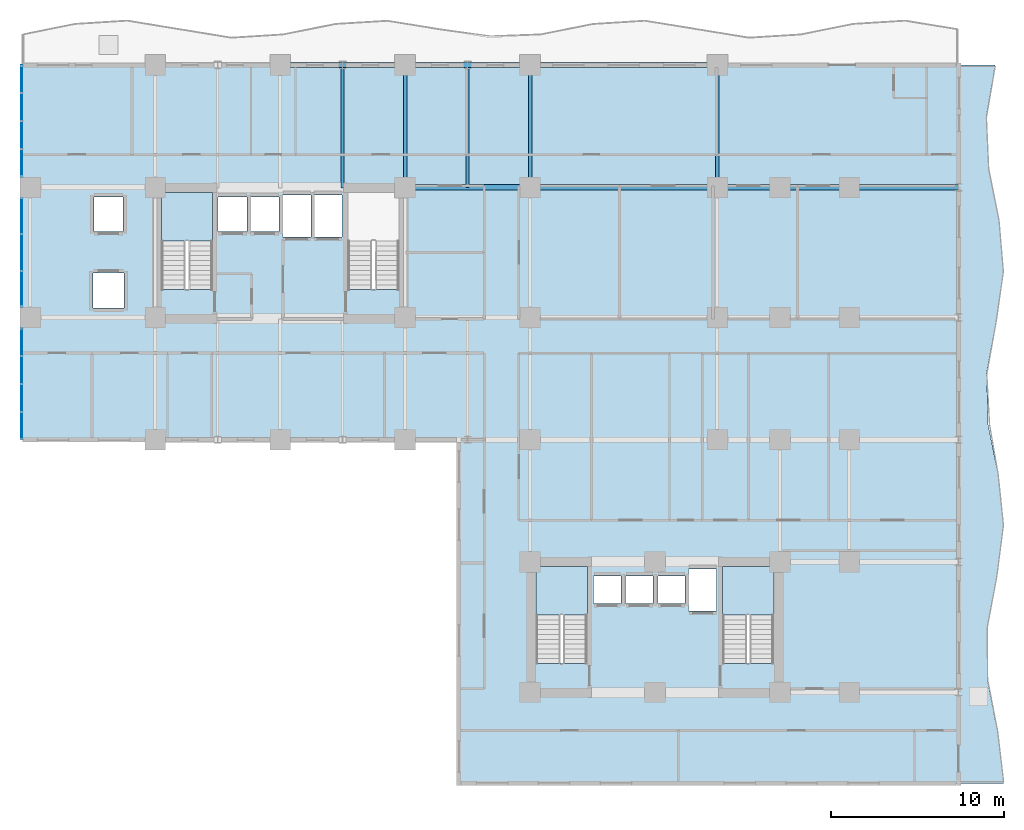
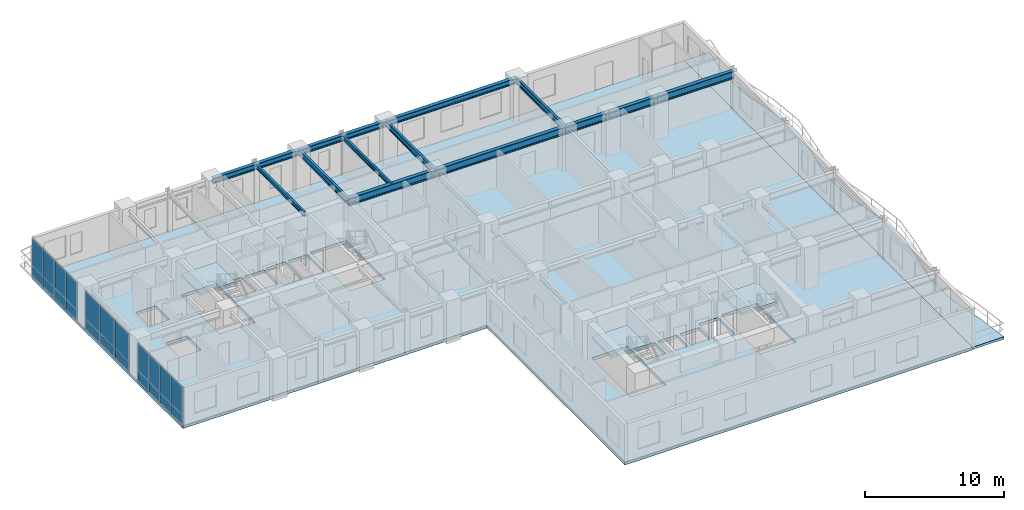
# One storey, part 9 of 18: 22 plates, 15 beams, 5 slabs, 6 elements without a shape of their own.
"""IFC4 building model written with IfcOpenShell, lengths in metres."""

from ifc_helpers import new_model, si_unit, direction, frame, origin, origin_2d, place, context, subcontext, project, spatial, polyline, rectangle, i_section, outline, extrude, source, transform, mapped, material, layer, layer_set, material_profile, profile_set, type_object, element, aggregate, save


model = new_model("IFC4")

# Units and contexts
model_context = context("Model", 3, precision=1e-05, world=origin(), true_north=direction((0.0, 1.0)))
body_context = subcontext(model_context, "Body", "Model", "MODEL_VIEW")
ifc_project = project(units=[si_unit("LENGTHUNIT", "METRE"), si_unit("AREAUNIT", "SQUARE_METRE"), si_unit("VOLUMEUNIT", "CUBIC_METRE"), si_unit("PLANEANGLEUNIT", "RADIAN"), si_unit("MASSUNIT", "GRAM", prefix="KILO")], contexts=[model_context])

# Site, building, storey
site_placement = place(None, origin())
site = spatial("IfcSite", under=ifc_project, at=site_placement, CompositionType="ELEMENT")
building_placement = place(site_placement, origin())
building = spatial("IfcBuilding", under=site, at=building_placement, Name="Kaliganga Portal Commons", CompositionType="ELEMENT")
storey_placement = place(building_placement, frame((0.0, 0.0, 93.39990234375)))
storey = spatial("IfcBuildingStorey", under=building, at=storey_placement, Name="L23", CompositionType="ELEMENT", Elevation=93.39990234375)

# Beams
ifc_material_1 = material(Name="Structural steel S355J2", Category="steel")
ifc_material_profile_1 = material_profile(ifc_material_1, i_section(OverallWidth=0.300048828125, OverallDepth=0.5, WebThickness=0.014404296875, FlangeThickness=0.028076171875, FilletRadius=0.027099609375, at=origin_2d()), Name="HE 500 B")
ifc_profile_set_1 = profile_set([ifc_material_profile_1], Name="Structural steel S355J2 wide-flange")
beam_type_1 = type_object("IfcBeamType", Name="BM-SPAND-500", PredefinedType="SPANDREL", material=ifc_profile_set_1)
shared_shape_1 = source(origin(), body_context, "Body", "SweptSolid", [
    extrude(i_section(OverallWidth=0.300048828125, OverallDepth=0.5, WebThickness=0.014404296875, FlangeThickness=0.028076171875, FilletRadius=0.027099609375, at=origin_2d()), origin(), (0.0, 0.0, 1.0), 10.800048828125),
])
beam_1_placement = place(storey_placement, frame((36.0, 43.199951171875, 3.2001953125), z_axis=(1.0, 0.0, 0.0), x_axis=(0.0, 1.0, 0.0)))
element("IfcBeam", 1, at=beam_1_placement, inside=storey, type_object=beam_type_1, Name="BM SP L23 AN 7", PredefinedType="SPANDREL", context=body_context, shape_type="MappedRepresentation", body=[
    mapped(shared_shape_1, transform((0.0, 0.0, 0.0), x_axis=(1.0, 0.0, 0.0), y_axis=(0.0, 1.0, 0.0), z_axis=(0.0, 0.0, 1.0), scale=1.0)),
])
shared_shape_2 = source(origin(), body_context, "Body", "SweptSolid", [
    extrude(i_section(OverallWidth=0.300048828125, OverallDepth=0.5, WebThickness=0.014404296875, FlangeThickness=0.028076171875, FilletRadius=0.027099609375, at=origin_2d()), origin(), (0.0, 0.0, 1.0), 3.60009765625),
])
for number, where, z_axis, x_axis, name in (
    (2, (25.199951171875, 43.199951171875, 3.2001953125), (1.0, 0.0, 0.0), (0.0, 1.0, 0.0), "BM SP L23 AN 4"),
    (3, (32.39990234375, 43.199951171875, 3.2001953125), (1.0, 0.0, 0.0), (0.0, 1.0, 0.0), "BM SP L23 AN 6"),
):
    element("IfcBeam", number, at=place(storey_placement, frame(where, z_axis=z_axis, x_axis=x_axis)), inside=storey, type_object=beam_type_1, Name=name, PredefinedType="SPANDREL", context=body_context, shape_type="MappedRepresentation", body=[
        mapped(shared_shape_2, transform((0.0, 0.0, 0.0), x_axis=(1.0, 0.0, 0.0), y_axis=(0.0, 1.0, 0.0), z_axis=(0.0, 0.0, 1.0), scale=1.0)),
    ])
shared_shape_3 = source(origin(), body_context, "Body", "SweptSolid", [
    extrude(i_section(OverallWidth=0.300048828125, OverallDepth=0.5, WebThickness=0.014404296875, FlangeThickness=0.028076171875, FilletRadius=0.027099609375, at=origin_2d()), origin(), (0.0, 0.0, 1.0), 3.599853515625),
])
for number, where, z_axis, x_axis, name in (
    (4, (21.60009765625, 43.199951171875, 3.2001953125), (1.0, 0.0, 0.0), (0.0, 1.0, 0.0), "BM SP L23 AN 3"),
    (5, (28.800048828125, 43.199951171875, 3.2001953125), (1.0, 0.0, 0.0), (0.0, 1.0, 0.0), "BM SP L23 AN 5"),
):
    element("IfcBeam", number, at=place(storey_placement, frame(where, z_axis=z_axis, x_axis=x_axis)), inside=storey, type_object=beam_type_1, Name=name, PredefinedType="SPANDREL", context=body_context, shape_type="MappedRepresentation", body=[
        mapped(shared_shape_3, transform((0.0, 0.0, 0.0), x_axis=(1.0, 0.0, 0.0), y_axis=(0.0, 1.0, 0.0), z_axis=(0.0, 0.0, 1.0), scale=1.0)),
    ])
ifc_material_profile_2 = material_profile(ifc_material_1, i_section(OverallWidth=0.300048828125, OverallDepth=0.64990234375, WebThickness=0.01611328125, FlangeThickness=0.031005859375, FilletRadius=0.027099609375, at=origin_2d()), Name="HE 650 B")
ifc_profile_set_2 = profile_set([ifc_material_profile_2], Name="Structural steel S355J2 wide-flange")
beam_type_2 = type_object("IfcBeamType", Name="BM-GIRD-650", PredefinedType="USERDEFINED", material=ifc_profile_set_2)
shared_shape_4 = source(origin(), body_context, "Body", "SweptSolid", [
    extrude(i_section(OverallWidth=0.300048828125, OverallDepth=0.64990234375, WebThickness=0.01611328125, FlangeThickness=0.031005859375, FilletRadius=0.027099609375, at=origin_2d()), origin(), (0.0, 0.0, 1.0), 3.599853515625),
])
beam_2_placement = place(storey_placement, frame((46.800048828125, 36.14990234375, 3.125), z_axis=(1.0, 0.0, 0.0), x_axis=(0.0, 1.0, 0.0)))
element("IfcBeam", 6, at=beam_2_placement, inside=storey, type_object=beam_type_2, Name="BM G L23 BKE362 1", ObjectType="GIRDER", PredefinedType="USERDEFINED", context=body_context, shape_type="MappedRepresentation", body=[
    mapped(shared_shape_4, transform((0.0, 0.0, 0.0), x_axis=(1.0, 0.0, 0.0), y_axis=(0.0, 1.0, 0.0), z_axis=(0.0, 0.0, 1.0), scale=1.0)),
])
shared_shape_5 = source(origin(), body_context, "Body", "SweptSolid", [
    extrude(i_section(OverallWidth=0.300048828125, OverallDepth=0.64990234375, WebThickness=0.01611328125, FlangeThickness=0.031005859375, FilletRadius=0.027099609375, at=origin_2d()), origin(), (0.0, 0.0, 1.0), 7.199951171875),
])
beam_3_placement = place(storey_placement, frame((28.800048828125, 36.14990234375, 3.125), z_axis=(1.0, 0.0, 0.0), x_axis=(0.0, 1.0, 0.0)))
element("IfcBeam", 7, at=beam_3_placement, inside=storey, type_object=beam_type_2, Name="BM G L23 WAE_N 1", ObjectType="GIRDER", PredefinedType="USERDEFINED", context=body_context, shape_type="MappedRepresentation", body=[
    mapped(shared_shape_5, transform((0.0, 0.0, 0.0), x_axis=(1.0, 0.0, 0.0), y_axis=(0.0, 1.0, 0.0), z_axis=(0.0, 0.0, 1.0), scale=1.0)),
])
shared_shape_6 = source(origin(), body_context, "Body", "SweptSolid", [
    extrude(i_section(OverallWidth=0.300048828125, OverallDepth=0.64990234375, WebThickness=0.01611328125, FlangeThickness=0.031005859375, FilletRadius=0.027099609375, at=origin_2d()), origin(), (0.0, 0.0, 1.0), 10.800048828125),
])
beam_4_placement = place(storey_placement, frame((36.0, 36.14990234375, 3.125), z_axis=(1.0, 0.0, 0.0), x_axis=(0.0, 1.0, 0.0)))
element("IfcBeam", 8, at=beam_4_placement, inside=storey, type_object=beam_type_2, Name="BM G L23 WAE_N 2", ObjectType="GIRDER", PredefinedType="USERDEFINED", context=body_context, shape_type="MappedRepresentation", body=[
    mapped(shared_shape_6, transform((0.0, 0.0, 0.0), x_axis=(1.0, 0.0, 0.0), y_axis=(0.0, 1.0, 0.0), z_axis=(0.0, 0.0, 1.0), scale=1.0)),
])
ifc_material_profile_3 = material_profile(ifc_material_1, i_section(OverallWidth=0.169921875, OverallDepth=0.360107421875, WebThickness=0.008056640625, FlangeThickness=0.0126953125, FilletRadius=0.01806640625, at=origin_2d()), Name="IPE 360")
ifc_profile_set_3 = profile_set([ifc_material_profile_3], Name="Structural steel S355J2 wide-flange")
beam_type_3 = type_object("IfcBeamType", Name="BM-JST-360", PredefinedType="JOIST", material=ifc_profile_set_3)
shared_shape_7 = source(origin(), body_context, "Body", "SweptSolid", [
    extrude(i_section(OverallWidth=0.169921875, OverallDepth=0.360107421875, WebThickness=0.008056640625, FlangeThickness=0.0126953125, FilletRadius=0.01806640625, at=origin_2d()), origin(), (0.0, 0.0, 1.0), 7.074951171875),
])
beam_5_placement = place(storey_placement, frame((25.199951171875, 36.125, 3.27001953125), z_axis=(0.0, 1.0, 0.0), x_axis=(-1.0, 0.0, 0.0)))
element("IfcBeam", 9, at=beam_5_placement, inside=storey, type_object=beam_type_3, Name="BM G L23 AN252", PredefinedType="JOIST", context=body_context, shape_type="MappedRepresentation", body=[
    mapped(shared_shape_7, transform((0.0, 0.0, 0.0), x_axis=(1.0, 0.0, 0.0), y_axis=(0.0, 1.0, 0.0), z_axis=(0.0, 0.0, 1.0), scale=1.0)),
])
shared_shape_8 = source(origin(), body_context, "Body", "SweptSolid", [
    extrude(i_section(OverallWidth=0.169921875, OverallDepth=0.360107421875, WebThickness=0.008056640625, FlangeThickness=0.0126953125, FilletRadius=0.01806640625, at=origin_2d()), origin(), (0.0, 0.0, 1.0), 7.050048828125),
])
beam_6_placement = place(storey_placement, frame((32.39990234375, 36.14990234375, 3.27001953125), z_axis=(0.0, 1.0, 0.0), x_axis=(-1.0, 0.0, 0.0)))
element("IfcBeam", 10, at=beam_6_placement, inside=storey, type_object=beam_type_3, Name="BM G L23 AN324", PredefinedType="JOIST", context=body_context, shape_type="MappedRepresentation", body=[
    mapped(shared_shape_8, transform((0.0, 0.0, 0.0), x_axis=(1.0, 0.0, 0.0), y_axis=(0.0, 1.0, 0.0), z_axis=(0.0, 0.0, 1.0), scale=1.0)),
])
shared_shape_9 = source(origin(), body_context, "Body", "SweptSolid", [
    extrude(i_section(OverallWidth=0.300048828125, OverallDepth=0.64990234375, WebThickness=0.01611328125, FlangeThickness=0.031005859375, FilletRadius=0.027099609375, at=origin_2d()), origin(), (0.0, 0.0, 1.0), 4.0),
])
beam_7_placement = place(storey_placement, frame((50.39990234375, 36.14990234375, 3.125), z_axis=(1.0, 0.0, 0.0), x_axis=(0.0, 1.0, 0.0)))
element("IfcBeam", 11, at=beam_7_placement, inside=storey, type_object=beam_type_2, Name="BM G L23 BKE362 2", ObjectType="GIRDER", PredefinedType="USERDEFINED", context=body_context, shape_type="MappedRepresentation", body=[
    mapped(shared_shape_9, transform((0.0, 0.0, 0.0), x_axis=(1.0, 0.0, 0.0), y_axis=(0.0, 1.0, 0.0), z_axis=(0.0, 0.0, 1.0), scale=1.0)),
])
ifc_material_profile_4 = material_profile(ifc_material_1, i_section(OverallWidth=0.199951171875, OverallDepth=0.5, WebThickness=0.01025390625, FlangeThickness=0.01611328125, FilletRadius=0.02099609375, at=origin_2d()), Name="IPE 500")
ifc_profile_set_4 = profile_set([ifc_material_profile_4], Name="Structural steel S355J2 wide-flange")
beam_type_4 = type_object("IfcBeamType", Name="BM-FLR-500", PredefinedType="BEAM", material=ifc_profile_set_4)
shared_shape_10 = source(origin(), body_context, "Body", "SweptSolid", [
    extrude(i_section(OverallWidth=0.199951171875, OverallDepth=0.5, WebThickness=0.01025390625, FlangeThickness=0.01611328125, FilletRadius=0.02099609375, at=origin_2d()), origin(), (0.0, 0.0, 1.0), 7.050048828125),
])
for number, where, z_axis, x_axis, name in (
    (12, (28.800048828125, 36.14990234375, 3.2001953125), (0.0, 1.0, 0.0), (-1.0, 0.0, 0.0), "BM G L23 AN288"),
    (13, (36.0, 36.14990234375, 3.2001953125), (0.0, 1.0, 0.0), (-1.0, 0.0, 0.0), "BM G L23 AN360"),
    (14, (46.800048828125, 36.14990234375, 3.2001953125), (0.0, 1.0, 0.0), (-1.0, 0.0, 0.0), "BM G L23 AN468"),
):
    element("IfcBeam", number, at=place(storey_placement, frame(where, z_axis=z_axis, x_axis=x_axis)), inside=storey, type_object=beam_type_4, Name=name, PredefinedType="BEAM", context=body_context, shape_type="MappedRepresentation", body=[
        mapped(shared_shape_10, transform((0.0, 0.0, 0.0), x_axis=(1.0, 0.0, 0.0), y_axis=(0.0, 1.0, 0.0), z_axis=(0.0, 0.0, 1.0), scale=1.0)),
    ])
shared_shape_11 = source(origin(), body_context, "Body", "SweptSolid", [
    extrude(i_section(OverallWidth=0.300048828125, OverallDepth=0.64990234375, WebThickness=0.01611328125, FlangeThickness=0.031005859375, FilletRadius=0.027099609375, at=origin_2d()), origin(), (0.0, 0.0, 1.0), 6.300048828125),
])
beam_8_placement = place(storey_placement, frame((54.39990234375, 36.14990234375, 3.125), z_axis=(1.0, 0.0, 0.0), x_axis=(0.0, 1.0, 0.0)))
element("IfcBeam", 15, at=beam_8_placement, inside=storey, type_object=beam_type_2, Name="BM G L23 BKE362 3", ObjectType="GIRDER", PredefinedType="USERDEFINED", context=body_context, shape_type="MappedRepresentation", body=[
    mapped(shared_shape_11, transform((0.0, 0.0, 0.0), x_axis=(1.0, 0.0, 0.0), y_axis=(0.0, 1.0, 0.0), z_axis=(0.0, 0.0, 1.0), scale=1.0)),
])

# Slab
ifc_material_2 = material(Name="Concrete C40/50", Category="concrete")
ifc_layer_1 = layer(ifc_material_2, 0.2099609375)
ifc_layer_set_1 = layer_set([ifc_layer_1], Name="Concrete C40/50")
slab_type_1 = type_object("IfcSlabType", Name="SLB-BALC-210", PredefinedType="FLOOR", material=ifc_layer_set_1)
slab_1_placement = place(storey_placement, frame((0.0, 0.0, -0.2099609375)))
element("IfcSlab", 16, at=slab_1_placement, inside=storey, type_object=slab_type_1, Name="Scalloped Tree-Planter Balcony Slab L23 balc_east", PredefinedType="FLOOR", context=body_context, shape_type="SweptSolid", body=[
    extrude(outline(polyline([(60.699951171875, 1.800048828125), (63.300048828125, 1.800048828125), (62.951171875, 4.757080078125), (62.374755859375, 7.71435546875), (62.347900390625, 10.67138671875), (62.906494140625, 13.628662109375), (63.2978515625, 16.585693359375), (62.994384765625, 19.54296875), (62.405029296875, 22.5), (62.32421875, 25.45703125), (62.861083984375, 28.414306640625), (63.291748046875, 31.371337890625), (63.035888671875, 34.32861328125), (62.438232421875, 37.28564453125), (62.304443359375, 40.242919921875), (62.81494140625, 43.199951171875), (60.699951171875, 43.199951171875), (60.699951171875, 1.800048828125)])), origin(), (0.0, 0.0, 1.0), 0.2099609375),
])

# Stair, slab
stair_type = type_object("IfcStairType", Name="ST-CORE-DOGLEG", PredefinedType="HALF_TURN_STAIR", material=ifc_material_2)
stair_1_placement = place(storey_placement, origin())
stair_1 = element("IfcStair", 17, at=stair_1_placement, inside=storey, type_object=stair_type, Name="L23 Protected Exit Stair ST-A1", PredefinedType="HALF_TURN_STAIR")
ifc_layer_2 = layer(ifc_material_2, 0.199951171875)
ifc_layer_set_2 = layer_set([ifc_layer_2], Name="Concrete C40/50")
slab_type_2 = type_object("IfcSlabType", Name="SLB-STAIR-LND", PredefinedType="LANDING", material=ifc_layer_set_2)
slab_2_placement = place(storey_placement, frame((0.0, 0.0, 1.650146484375)))
slab_2 = element("IfcSlab", 18, at=slab_2_placement, type_object=slab_type_2, Name="ST-A1 landing 1", PredefinedType="LANDING", context=body_context, shape_type="SweptSolid", body=[
    extrude(outline(polyline([(17.699951171875, 33.050048828125), (17.699951171875, 35.85009765625), (14.75, 35.85009765625), (14.75, 33.050048828125), (17.699951171875, 33.050048828125)])), origin(), (0.0, 0.0, 1.0), 0.199951171875),
])
aggregate(stair_1, [slab_2])

stair_2_placement = place(storey_placement, origin())
stair_2 = element("IfcStair", 19, at=stair_2_placement, inside=storey, type_object=stair_type, Name="L23 Protected Exit Stair ST-B1", PredefinedType="HALF_TURN_STAIR")
slab_3_placement = place(storey_placement, frame((0.0, 0.0, 1.650146484375)))
slab_3 = element("IfcSlab", 20, at=slab_3_placement, type_object=slab_type_2, Name="ST-B1 landing 1", PredefinedType="LANDING", context=body_context, shape_type="SweptSolid", body=[
    extrude(outline(polyline([(39.300048828125, 11.5), (39.300048828125, 14.300048828125), (36.35009765625, 14.300048828125), (36.35009765625, 11.5), (39.300048828125, 11.5)])), origin(), (0.0, 0.0, 1.0), 0.199951171875),
])
aggregate(stair_2, [slab_3])

stair_3_placement = place(storey_placement, origin())
stair_3 = element("IfcStair", 21, at=stair_3_placement, inside=storey, type_object=stair_type, Name="L23 Protected Exit Stair ST-B2", PredefinedType="HALF_TURN_STAIR")
slab_4_placement = place(storey_placement, frame((0.0, 0.0, 1.650146484375)))
slab_4 = element("IfcSlab", 22, at=slab_4_placement, type_object=slab_type_2, Name="ST-B2 landing 1", PredefinedType="LANDING", context=body_context, shape_type="SweptSolid", body=[
    extrude(outline(polyline([(50.050048828125, 11.5), (50.050048828125, 14.300048828125), (47.10009765625, 14.300048828125), (47.10009765625, 11.5), (50.050048828125, 11.5)])), origin(), (0.0, 0.0, 1.0), 0.199951171875),
])
aggregate(stair_3, [slab_4])

# Slab
ifc_layer_3 = layer(ifc_material_2, 0.25)
ifc_layer_set_3 = layer_set([ifc_layer_3], Name="Concrete C40/50")
slab_type_3 = type_object("IfcSlabType", Name="SLB-TWR-250", PredefinedType="FLOOR", material=ifc_layer_set_3)
slab_5_placement = place(storey_placement, frame((0.0, 0.0, -0.25)))
element("IfcSlab", 23, at=slab_5_placement, inside=storey, type_object=slab_type_3, Name="Structural Floor Slab L23", PredefinedType="FLOOR", context=body_context, shape_type="SweptSolid", body=[
    extrude(outline(polyline([(31.89990234375, 1.800048828125), (60.699951171875, 1.800048828125), (60.699951171875, 43.199951171875), (6.699951171875, 43.199951171875), (6.699951171875, 21.60009765625), (31.89990234375, 21.60009765625), (31.89990234375, 1.800048828125)]), holes=[polyline([(14.75, 30.25390625), (14.75, 35.85009765625), (17.699951171875, 35.85009765625), (17.699951171875, 30.25390625), (14.75, 30.25390625)]), polyline([(25.5, 30.25390625), (25.5, 35.85009765625), (28.449951171875, 35.85009765625), (28.449951171875, 30.25390625), (25.5, 30.25390625)]), polyline([(36.35009765625, 8.7041015625), (36.35009765625, 14.300048828125), (39.300048828125, 14.300048828125), (39.300048828125, 8.7041015625), (36.35009765625, 8.7041015625)]), polyline([(47.10009765625, 8.7041015625), (47.10009765625, 14.300048828125), (50.050048828125, 14.300048828125), (50.050048828125, 8.7041015625), (47.10009765625, 8.7041015625)]), polyline([(18.014892578125, 33.614990234375), (18.014892578125, 35.5849609375), (19.68505859375, 35.5849609375), (19.68505859375, 33.614990234375), (18.014892578125, 33.614990234375)]), polyline([(19.864990234375, 33.614990234375), (19.864990234375, 35.5849609375), (21.534912109375, 35.5849609375), (21.534912109375, 33.614990234375), (19.864990234375, 33.614990234375)]), polyline([(10.81494140625, 29.18994140625), (10.81494140625, 31.2099609375), (12.5849609375, 31.2099609375), (12.5849609375, 29.18994140625), (10.81494140625, 29.18994140625)]), polyline([(10.864990234375, 33.614990234375), (10.864990234375, 35.5849609375), (12.534912109375, 35.5849609375), (12.534912109375, 33.614990234375), (10.864990234375, 33.614990234375)]), polyline([(21.739990234375, 33.2900390625), (21.739990234375, 35.7099609375), (23.360107421875, 35.7099609375), (23.360107421875, 33.2900390625), (21.739990234375, 33.2900390625)]), polyline([(23.5400390625, 33.2900390625), (23.5400390625, 35.7099609375), (25.159912109375, 35.7099609375), (25.159912109375, 33.2900390625), (23.5400390625, 33.2900390625)]), polyline([(39.6650390625, 12.1650390625), (39.6650390625, 13.735107421875), (41.235107421875, 13.735107421875), (41.235107421875, 12.1650390625), (39.6650390625, 12.1650390625)]), polyline([(41.514892578125, 12.1650390625), (41.514892578125, 13.735107421875), (43.0849609375, 13.735107421875), (43.0849609375, 12.1650390625), (41.514892578125, 12.1650390625)]), polyline([(43.364990234375, 12.1650390625), (43.364990234375, 13.735107421875), (44.93505859375, 13.735107421875), (44.93505859375, 12.1650390625), (43.364990234375, 12.1650390625)]), polyline([(45.139892578125, 11.739990234375), (45.139892578125, 14.159912109375), (46.760009765625, 14.159912109375), (46.760009765625, 11.739990234375), (45.139892578125, 11.739990234375)])]), origin(), (0.0, 0.0, 1.0), 0.25),
])

# Curtain wall, plates
ifc_material_3 = material(Name="Anodized Aluminium and Laminated Low-E Glass", Category="aluminium")
ifc_layer_4 = layer(ifc_material_3, 0.199951171875)
ifc_layer_set_4 = layer_set([ifc_layer_4], Name="Anodized Aluminium and Laminated Low-E Glass")
curtain_wall_type = type_object("IfcCurtainWallType", Name="CW-SYS-02", PredefinedType="NOTDEFINED", material=ifc_layer_set_4)
curtain_wall_1_placement = place(storey_placement, origin())
curtain_wall_1 = element("IfcCurtainWall", 24, at=curtain_wall_1_placement, inside=storey, type_object=curtain_wall_type, Name="CW 02 L23 P1E03S1", PredefinedType="NOTDEFINED")
ifc_material_4 = material(Name="Insulated Dark Spandrel Panel", Category="metal")
ifc_layer_5 = layer(ifc_material_4, 0.044921875)
ifc_layer_set_5 = layer_set([ifc_layer_5], Name="Insulated Dark Spandrel Panel")
plate_type_1 = type_object("IfcPlateType", Name="PLT-SPN-45", PredefinedType="SHEET", material=ifc_layer_set_5)
shared_shape_12 = source(origin(), body_context, "Body", "SweptSolid", [
    extrude(rectangle(XDim=1.572265625, YDim=0.044921875, at=origin_2d()), origin(), (0.0, 0.0, 1.0), 0.929931640625),
])
plate_1_placement = place(storey_placement, frame((6.699951171875, 42.393798828125, 0.01025390625), z_axis=(0.0, 0.0, 1.0), x_axis=(0.0, -1.0, 0.0)))
plate_1 = element("IfcPlate", 25, at=plate_1_placement, type_object=plate_type_1, Name="CW:02:L23:P1E03S1 Spandrel 00", PredefinedType="SHEET", context=body_context, shape_type="MappedRepresentation", body=[
    mapped(shared_shape_12, transform((0.0, 0.0, 0.0), x_axis=(1.0, 0.0, 0.0), y_axis=(0.0, 1.0, 0.0), z_axis=(0.0, 0.0, 1.0), scale=1.0)),
])
plate_2_placement = place(storey_placement, frame((6.699951171875, 40.781494140625, 0.01025390625), z_axis=(0.0, 0.0, 1.0), x_axis=(0.0, -1.0, 0.0)))
plate_2 = element("IfcPlate", 26, at=plate_2_placement, type_object=plate_type_1, Name="CW:02:L23:P1E03S1 Spandrel 01", PredefinedType="SHEET", context=body_context, shape_type="MappedRepresentation", body=[
    mapped(shared_shape_12, transform((0.0, 0.0, 0.0), x_axis=(1.0, 0.0, 0.0), y_axis=(0.0, 1.0, 0.0), z_axis=(0.0, 0.0, 1.0), scale=1.0)),
])
plate_3_placement = place(storey_placement, frame((6.699951171875, 39.16943359375, 0.01025390625), z_axis=(0.0, 0.0, 1.0), x_axis=(0.0, -1.0, 0.0)))
plate_3 = element("IfcPlate", 27, at=plate_3_placement, type_object=plate_type_1, Name="CW:02:L23:P1E03S1 Spandrel 02", PredefinedType="SHEET", context=body_context, shape_type="MappedRepresentation", body=[
    mapped(shared_shape_12, transform((0.0, 0.0, 0.0), x_axis=(1.0, 0.0, 0.0), y_axis=(0.0, 1.0, 0.0), z_axis=(0.0, 0.0, 1.0), scale=1.0)),
])
plate_4_placement = place(storey_placement, frame((6.699951171875, 37.55712890625, 0.01025390625), z_axis=(0.0, 0.0, 1.0), x_axis=(0.0, -1.0, 0.0)))
plate_4 = element("IfcPlate", 28, at=plate_4_placement, type_object=plate_type_1, Name="CW:02:L23:P1E03S1 Spandrel 03", PredefinedType="SHEET", context=body_context, shape_type="MappedRepresentation", body=[
    mapped(shared_shape_12, transform((0.0, 0.0, 0.0), x_axis=(1.0, 0.0, 0.0), y_axis=(0.0, 1.0, 0.0), z_axis=(0.0, 0.0, 1.0), scale=1.0)),
])

curtain_wall_2_placement = place(storey_placement, origin())
curtain_wall_2 = element("IfcCurtainWall", 29, at=curtain_wall_2_placement, inside=storey, type_object=curtain_wall_type, Name="CW 02 L23 P1E03S3", PredefinedType="NOTDEFINED")
plate_5_placement = place(storey_placement, frame((6.699951171875, 27.242919921875, 0.01025390625), z_axis=(0.0, 0.0, 1.0), x_axis=(0.0, -1.0, 0.0)))
plate_5 = element("IfcPlate", 30, at=plate_5_placement, type_object=plate_type_1, Name="CW:02:L23:P1E03S3 Spandrel 00", PredefinedType="SHEET", context=body_context, shape_type="MappedRepresentation", body=[
    mapped(shared_shape_12, transform((0.0, 0.0, 0.0), x_axis=(1.0, 0.0, 0.0), y_axis=(0.0, 1.0, 0.0), z_axis=(0.0, 0.0, 1.0), scale=1.0)),
])
plate_6_placement = place(storey_placement, frame((6.699951171875, 25.630615234375, 0.01025390625), z_axis=(0.0, 0.0, 1.0), x_axis=(0.0, -1.0, 0.0)))
plate_6 = element("IfcPlate", 31, at=plate_6_placement, type_object=plate_type_1, Name="CW:02:L23:P1E03S3 Spandrel 01", PredefinedType="SHEET", context=body_context, shape_type="MappedRepresentation", body=[
    mapped(shared_shape_12, transform((0.0, 0.0, 0.0), x_axis=(1.0, 0.0, 0.0), y_axis=(0.0, 1.0, 0.0), z_axis=(0.0, 0.0, 1.0), scale=1.0)),
])
plate_7_placement = place(storey_placement, frame((6.699951171875, 24.018310546875, 0.01025390625), z_axis=(0.0, 0.0, 1.0), x_axis=(0.0, -1.0, 0.0)))
plate_7 = element("IfcPlate", 32, at=plate_7_placement, type_object=plate_type_1, Name="CW:02:L23:P1E03S3 Spandrel 02", PredefinedType="SHEET", context=body_context, shape_type="MappedRepresentation", body=[
    mapped(shared_shape_12, transform((0.0, 0.0, 0.0), x_axis=(1.0, 0.0, 0.0), y_axis=(0.0, 1.0, 0.0), z_axis=(0.0, 0.0, 1.0), scale=1.0)),
])
plate_8_placement = place(storey_placement, frame((6.699951171875, 22.406005859375, 0.01025390625), z_axis=(0.0, 0.0, 1.0), x_axis=(0.0, -1.0, 0.0)))
plate_8 = element("IfcPlate", 33, at=plate_8_placement, type_object=plate_type_1, Name="CW:02:L23:P1E03S3 Spandrel 03", PredefinedType="SHEET", context=body_context, shape_type="MappedRepresentation", body=[
    mapped(shared_shape_12, transform((0.0, 0.0, 0.0), x_axis=(1.0, 0.0, 0.0), y_axis=(0.0, 1.0, 0.0), z_axis=(0.0, 0.0, 1.0), scale=1.0)),
])

# Plate
ifc_material_5 = material(Name="Dark Solar-Control Laminated Low-E IGU", Category="glass")
ifc_layer_6 = layer(ifc_material_5, 0.028076171875)
ifc_layer_set_6 = layer_set([ifc_layer_6], Name="Dark Solar-Control Laminated Low-E IGU")
plate_type_2 = type_object("IfcPlateType", Name="PLT-GLZ-28", PredefinedType="CURTAIN_PANEL", material=ifc_layer_set_6)
shared_shape_13 = source(origin(), body_context, "Body", "SweptSolid", [
    extrude(rectangle(XDim=1.572265625, YDim=0.028076171875, at=origin_2d()), origin(), (0.0, 0.0, 1.0), 2.39990234375),
])
plate_9_placement = place(storey_placement, frame((6.699951171875, 42.393798828125, 0.960205078125), z_axis=(0.0, 0.0, 1.0), x_axis=(0.0, -1.0, 0.0)))
plate_9 = element("IfcPlate", 34, at=plate_9_placement, type_object=plate_type_2, Name="CW:02:L23:P1E03S1 Vision IGU 00", PredefinedType="CURTAIN_PANEL", context=body_context, shape_type="MappedRepresentation", body=[
    mapped(shared_shape_13, transform((0.0, 0.0, 0.0), x_axis=(1.0, 0.0, 0.0), y_axis=(0.0, 1.0, 0.0), z_axis=(0.0, 0.0, 1.0), scale=1.0)),
])

plate_10_placement = place(storey_placement, frame((6.699951171875, 40.781494140625, 0.960205078125), z_axis=(0.0, 0.0, 1.0), x_axis=(0.0, -1.0, 0.0)))
plate_10 = element("IfcPlate", 35, at=plate_10_placement, type_object=plate_type_2, Name="CW:02:L23:P1E03S1 Vision IGU 01", PredefinedType="CURTAIN_PANEL", context=body_context, shape_type="MappedRepresentation", body=[
    mapped(shared_shape_13, transform((0.0, 0.0, 0.0), x_axis=(1.0, 0.0, 0.0), y_axis=(0.0, 1.0, 0.0), z_axis=(0.0, 0.0, 1.0), scale=1.0)),
])

plate_11_placement = place(storey_placement, frame((6.699951171875, 39.16943359375, 0.960205078125), z_axis=(0.0, 0.0, 1.0), x_axis=(0.0, -1.0, 0.0)))
plate_11 = element("IfcPlate", 36, at=plate_11_placement, type_object=plate_type_2, Name="CW:02:L23:P1E03S1 Vision IGU 02", PredefinedType="CURTAIN_PANEL", context=body_context, shape_type="MappedRepresentation", body=[
    mapped(shared_shape_13, transform((0.0, 0.0, 0.0), x_axis=(1.0, 0.0, 0.0), y_axis=(0.0, 1.0, 0.0), z_axis=(0.0, 0.0, 1.0), scale=1.0)),
])

plate_12_placement = place(storey_placement, frame((6.699951171875, 37.55712890625, 0.960205078125), z_axis=(0.0, 0.0, 1.0), x_axis=(0.0, -1.0, 0.0)))
plate_12 = element("IfcPlate", 37, at=plate_12_placement, type_object=plate_type_2, Name="CW:02:L23:P1E03S1 Vision IGU 03", PredefinedType="CURTAIN_PANEL", context=body_context, shape_type="MappedRepresentation", body=[
    mapped(shared_shape_13, transform((0.0, 0.0, 0.0), x_axis=(1.0, 0.0, 0.0), y_axis=(0.0, 1.0, 0.0), z_axis=(0.0, 0.0, 1.0), scale=1.0)),
])

aggregate(curtain_wall_1, [plate_1, plate_9, plate_2, plate_10, plate_3, plate_11, plate_4, plate_12])

plate_13_placement = place(storey_placement, frame((6.699951171875, 27.242919921875, 0.960205078125), z_axis=(0.0, 0.0, 1.0), x_axis=(0.0, -1.0, 0.0)))
plate_13 = element("IfcPlate", 38, at=plate_13_placement, type_object=plate_type_2, Name="CW:02:L23:P1E03S3 Vision IGU 00", PredefinedType="CURTAIN_PANEL", context=body_context, shape_type="MappedRepresentation", body=[
    mapped(shared_shape_13, transform((0.0, 0.0, 0.0), x_axis=(1.0, 0.0, 0.0), y_axis=(0.0, 1.0, 0.0), z_axis=(0.0, 0.0, 1.0), scale=1.0)),
])

plate_14_placement = place(storey_placement, frame((6.699951171875, 25.630615234375, 0.960205078125), z_axis=(0.0, 0.0, 1.0), x_axis=(0.0, -1.0, 0.0)))
plate_14 = element("IfcPlate", 39, at=plate_14_placement, type_object=plate_type_2, Name="CW:02:L23:P1E03S3 Vision IGU 01", PredefinedType="CURTAIN_PANEL", context=body_context, shape_type="MappedRepresentation", body=[
    mapped(shared_shape_13, transform((0.0, 0.0, 0.0), x_axis=(1.0, 0.0, 0.0), y_axis=(0.0, 1.0, 0.0), z_axis=(0.0, 0.0, 1.0), scale=1.0)),
])

plate_15_placement = place(storey_placement, frame((6.699951171875, 24.018310546875, 0.960205078125), z_axis=(0.0, 0.0, 1.0), x_axis=(0.0, -1.0, 0.0)))
plate_15 = element("IfcPlate", 40, at=plate_15_placement, type_object=plate_type_2, Name="CW:02:L23:P1E03S3 Vision IGU 02", PredefinedType="CURTAIN_PANEL", context=body_context, shape_type="MappedRepresentation", body=[
    mapped(shared_shape_13, transform((0.0, 0.0, 0.0), x_axis=(1.0, 0.0, 0.0), y_axis=(0.0, 1.0, 0.0), z_axis=(0.0, 0.0, 1.0), scale=1.0)),
])

plate_16_placement = place(storey_placement, frame((6.699951171875, 22.406005859375, 0.960205078125), z_axis=(0.0, 0.0, 1.0), x_axis=(0.0, -1.0, 0.0)))
plate_16 = element("IfcPlate", 41, at=plate_16_placement, type_object=plate_type_2, Name="CW:02:L23:P1E03S3 Vision IGU 03", PredefinedType="CURTAIN_PANEL", context=body_context, shape_type="MappedRepresentation", body=[
    mapped(shared_shape_13, transform((0.0, 0.0, 0.0), x_axis=(1.0, 0.0, 0.0), y_axis=(0.0, 1.0, 0.0), z_axis=(0.0, 0.0, 1.0), scale=1.0)),
])

aggregate(curtain_wall_2, [plate_5, plate_13, plate_6, plate_14, plate_7, plate_15, plate_8, plate_16])

# Curtain wall, plates
curtain_wall_3_placement = place(storey_placement, origin())
curtain_wall_3 = element("IfcCurtainWall", 42, at=curtain_wall_3_placement, inside=storey, type_object=curtain_wall_type, Name="CW 02 L23 P1E03S2", PredefinedType="NOTDEFINED")
shared_shape_14 = source(origin(), body_context, "Body", "SweptSolid", [
    extrude(rectangle(XDim=2.059326171875, YDim=0.044921875, at=origin_2d()), origin(), (0.0, 0.0, 1.0), 0.929931640625),
])
plate_17_placement = place(storey_placement, frame((6.699951171875, 34.499267578125, 0.01025390625), z_axis=(0.0, 0.0, 1.0), x_axis=(0.0, -1.0, 0.0)))
plate_17 = element("IfcPlate", 43, at=plate_17_placement, type_object=plate_type_1, Name="CW:02:L23:P1E03S2 Spandrel 00", PredefinedType="SHEET", context=body_context, shape_type="MappedRepresentation", body=[
    mapped(shared_shape_14, transform((0.0, 0.0, 0.0), x_axis=(1.0, 0.0, 0.0), y_axis=(0.0, 1.0, 0.0), z_axis=(0.0, 0.0, 1.0), scale=1.0)),
])
plate_18_placement = place(storey_placement, frame((6.699951171875, 32.39990234375, 0.01025390625), z_axis=(0.0, 0.0, 1.0), x_axis=(0.0, -1.0, 0.0)))
plate_18 = element("IfcPlate", 44, at=plate_18_placement, type_object=plate_type_1, Name="CW:02:L23:P1E03S2 Spandrel 01", PredefinedType="SHEET", context=body_context, shape_type="MappedRepresentation", body=[
    mapped(shared_shape_14, transform((0.0, 0.0, 0.0), x_axis=(1.0, 0.0, 0.0), y_axis=(0.0, 1.0, 0.0), z_axis=(0.0, 0.0, 1.0), scale=1.0)),
])
plate_19_placement = place(storey_placement, frame((6.699951171875, 30.30078125, 0.01025390625), z_axis=(0.0, 0.0, 1.0), x_axis=(0.0, -1.0, 0.0)))
plate_19 = element("IfcPlate", 45, at=plate_19_placement, type_object=plate_type_1, Name="CW:02:L23:P1E03S2 Spandrel 02", PredefinedType="SHEET", context=body_context, shape_type="MappedRepresentation", body=[
    mapped(shared_shape_14, transform((0.0, 0.0, 0.0), x_axis=(1.0, 0.0, 0.0), y_axis=(0.0, 1.0, 0.0), z_axis=(0.0, 0.0, 1.0), scale=1.0)),
])
shared_shape_15 = source(origin(), body_context, "Body", "SweptSolid", [
    extrude(rectangle(XDim=2.059326171875, YDim=0.028076171875, at=origin_2d()), origin(), (0.0, 0.0, 1.0), 2.39990234375),
])
plate_20_placement = place(storey_placement, frame((6.699951171875, 34.499267578125, 0.960205078125), z_axis=(0.0, 0.0, 1.0), x_axis=(0.0, -1.0, 0.0)))
plate_20 = element("IfcPlate", 46, at=plate_20_placement, type_object=plate_type_2, Name="CW:02:L23:P1E03S2 Vision IGU 00", PredefinedType="CURTAIN_PANEL", context=body_context, shape_type="MappedRepresentation", body=[
    mapped(shared_shape_15, transform((0.0, 0.0, 0.0), x_axis=(1.0, 0.0, 0.0), y_axis=(0.0, 1.0, 0.0), z_axis=(0.0, 0.0, 1.0), scale=1.0)),
])
plate_21_placement = place(storey_placement, frame((6.699951171875, 32.39990234375, 0.960205078125), z_axis=(0.0, 0.0, 1.0), x_axis=(0.0, -1.0, 0.0)))
plate_21 = element("IfcPlate", 47, at=plate_21_placement, type_object=plate_type_2, Name="CW:02:L23:P1E03S2 Vision IGU 01", PredefinedType="CURTAIN_PANEL", context=body_context, shape_type="MappedRepresentation", body=[
    mapped(shared_shape_15, transform((0.0, 0.0, 0.0), x_axis=(1.0, 0.0, 0.0), y_axis=(0.0, 1.0, 0.0), z_axis=(0.0, 0.0, 1.0), scale=1.0)),
])
plate_22_placement = place(storey_placement, frame((6.699951171875, 30.30078125, 0.960205078125), z_axis=(0.0, 0.0, 1.0), x_axis=(0.0, -1.0, 0.0)))
plate_22 = element("IfcPlate", 48, at=plate_22_placement, type_object=plate_type_2, Name="CW:02:L23:P1E03S2 Vision IGU 02", PredefinedType="CURTAIN_PANEL", context=body_context, shape_type="MappedRepresentation", body=[
    mapped(shared_shape_15, transform((0.0, 0.0, 0.0), x_axis=(1.0, 0.0, 0.0), y_axis=(0.0, 1.0, 0.0), z_axis=(0.0, 0.0, 1.0), scale=1.0)),
])
aggregate(curtain_wall_3, [plate_17, plate_20, plate_18, plate_21, plate_19, plate_22])

save(model, "model.ifc")
